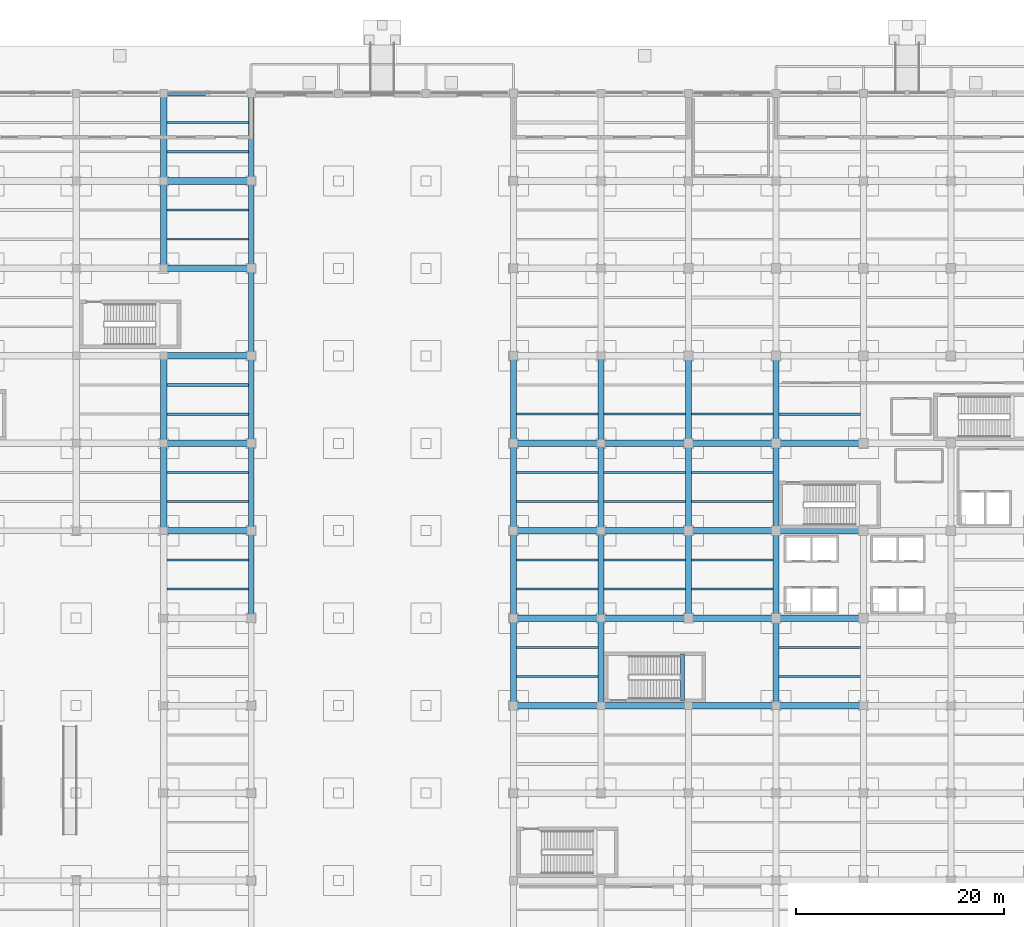
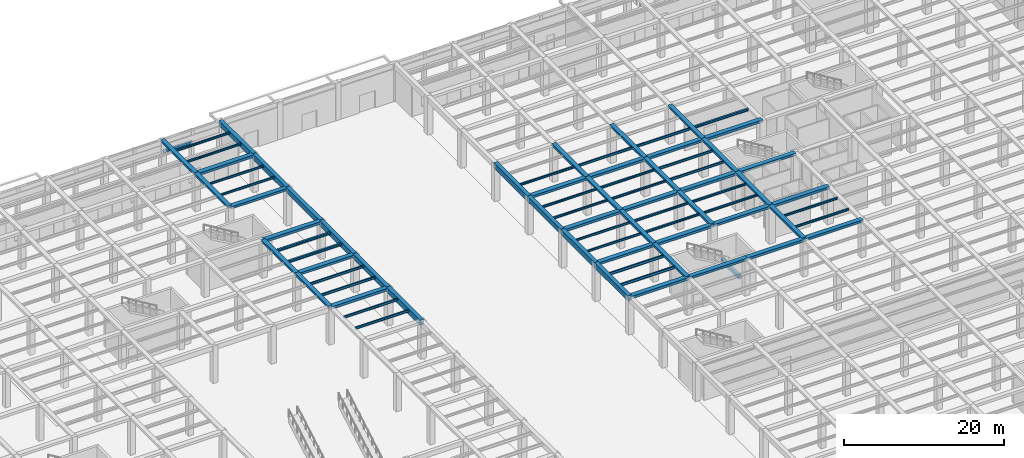
# One storey, part 10 of 43: 78 beams.
"""IFC4 building model written with IfcOpenShell, lengths in metres."""

from ifc_helpers import new_model, si_unit, direction, frame, origin, origin_2d, place, context, subcontext, project, spatial, rectangle, i_section, extrude, material, material_profile, profile_set, type_object, element, save


model = new_model("IFC4")

# Units and contexts
model_context = context("Model", 3, precision=1e-05, world=origin(), true_north=direction((0.0, 1.0)))
body_context = subcontext(model_context, "Body", "Model", "MODEL_VIEW")
ifc_project = project(units=[si_unit("LENGTHUNIT", "METRE"), si_unit("AREAUNIT", "SQUARE_METRE"), si_unit("VOLUMEUNIT", "CUBIC_METRE"), si_unit("PLANEANGLEUNIT", "RADIAN"), si_unit("MASSUNIT", "GRAM", prefix="KILO")], contexts=[model_context])

# Site, building, storey
site_placement = place(None, origin())
site = spatial("IfcSite", under=ifc_project, at=site_placement, CompositionType="ELEMENT")
building_placement = place(site_placement, origin())
building = spatial("IfcBuilding", under=site, at=building_placement, Name="Almacenes y Pasaje Nevantli", CompositionType="ELEMENT")
storey_placement = place(building_placement, origin())
storey = spatial("IfcBuildingStorey", under=building, at=storey_placement, Name="L01", CompositionType="ELEMENT", Elevation=0.0)

# Beams
ifc_material_1 = material(Name="Concrete C35/45", Category="concrete")
ifc_material_profile_1 = material_profile(ifc_material_1, rectangle(XDim=0.39990234375, YDim=0.60009765625, at=origin_2d()), Name="RC-BM-400x600")
ifc_profile_set_1 = profile_set([ifc_material_profile_1], Name="Concrete C35/45")
beam_type_1 = type_object("IfcBeamType", Name="BM-RC-400x600", PredefinedType="SPANDREL", material=ifc_profile_set_1)
beam_1_placement = place(storey_placement, frame((108.6298828125, 59.300048828125, 2.5), z_axis=(0.0, 1.0, 0.0), x_axis=(-1.0, 0.0, 0.0)))
element("IfcBeam", 1, at=beam_1_placement, inside=storey, type_object=beam_type_1, Name="L01 Stair ST-13 Half-Landing Support Beam", PredefinedType="SPANDREL", context=body_context, shape_type="SweptSolid", body=[
    extrude(rectangle(XDim=0.39990234375, YDim=0.60009765625, at=origin_2d()), origin(), (0.0, 0.0, 1.0), 4.449951171875),
])
ifc_material_2 = material(Name="Concrete C35/45", Category="concrete")
ifc_material_profile_2 = material_profile(ifc_material_2, rectangle(XDim=0.550048828125, YDim=0.800048828125, at=origin_2d()), Name="RC-BM-550x800")
ifc_profile_set_2 = profile_set([ifc_material_profile_2], Name="Concrete C35/45")
beam_type_2 = type_object("IfcBeamType", Name="BM-RC-550x800", PredefinedType="BEAM", material=ifc_profile_set_2)
beam_2_placement = place(storey_placement, frame((67.199951171875, 67.199951171875, 5.300048828125), z_axis=(0.0, 1.0, 0.0), x_axis=(-1.0, 0.0, 0.0)))
element("IfcBeam", 2, at=beam_2_placement, inside=storey, type_object=beam_type_2, Name="L01 North-South Reinforced Concrete Beam #1549", PredefinedType="BEAM", context=body_context, shape_type="SweptSolid", body=[
    extrude(rectangle(XDim=0.550048828125, YDim=0.800048828125, at=origin_2d()), origin(), (0.0, 0.0, 1.0), 8.400146484375),
])
for number, where, z_axis, x_axis, name in (
    (3, (67.199951171875, 75.60009765625, 5.300048828125), (0.0, 1.0, 0.0), (-1.0, 0.0, 0.0), "L01 North-South Reinforced Concrete Beam #1550"),
    (4, (67.199951171875, 84.0, 5.300048828125), (0.0, 1.0, 0.0), (-1.0, 0.0, 0.0), "L01 North-South Reinforced Concrete Beam #1551"),
):
    element("IfcBeam", number, at=place(storey_placement, frame(where, z_axis=z_axis, x_axis=x_axis)), inside=storey, type_object=beam_type_2, Name=name, PredefinedType="BEAM", context=body_context, shape_type="SweptSolid", body=[
        extrude(rectangle(XDim=0.550048828125, YDim=0.800048828125, at=origin_2d()), origin(), (0.0, 0.0, 1.0), 8.39990234375),
    ])
beam_3_placement = place(storey_placement, frame((67.199951171875, 92.39990234375, 5.300048828125), z_axis=(0.0, 1.0, 0.0), x_axis=(-1.0, 0.0, 0.0)))
element("IfcBeam", 5, at=beam_3_placement, inside=storey, type_object=beam_type_2, Name="L01 North-South Reinforced Concrete Beam #1552", PredefinedType="BEAM", context=body_context, shape_type="SweptSolid", body=[
    extrude(rectangle(XDim=0.550048828125, YDim=0.800048828125, at=origin_2d()), origin(), (0.0, 0.0, 1.0), 8.400146484375),
])
beam_4_placement = place(storey_placement, frame((67.199951171875, 100.800048828125, 5.300048828125), z_axis=(0.0, 1.0, 0.0), x_axis=(-1.0, 0.0, 0.0)))
element("IfcBeam", 6, at=beam_4_placement, inside=storey, type_object=beam_type_2, Name="L01 North-South Reinforced Concrete Beam #1553", PredefinedType="BEAM", context=body_context, shape_type="SweptSolid", body=[
    extrude(rectangle(XDim=0.550048828125, YDim=0.800048828125, at=origin_2d()), origin(), (0.0, 0.0, 1.0), 8.39990234375),
])
beam_5_placement = place(storey_placement, frame((67.199951171875, 109.199951171875, 5.300048828125), z_axis=(0.0, 1.0, 0.0), x_axis=(-1.0, 0.0, 0.0)))
element("IfcBeam", 7, at=beam_5_placement, inside=storey, type_object=beam_type_2, Name="L01 North-South Reinforced Concrete Beam #1554", PredefinedType="BEAM", context=body_context, shape_type="SweptSolid", body=[
    extrude(rectangle(XDim=0.550048828125, YDim=0.800048828125, at=origin_2d()), origin(), (0.0, 0.0, 1.0), 8.400146484375),
])
beam_6_placement = place(storey_placement, frame((92.39990234375, 58.800048828125, 5.300048828125), z_axis=(0.0, 1.0, 0.0), x_axis=(-1.0, 0.0, 0.0)))
element("IfcBeam", 8, at=beam_6_placement, inside=storey, type_object=beam_type_2, Name="L01 North-South Reinforced Concrete Beam #1562", PredefinedType="BEAM", context=body_context, shape_type="SweptSolid", body=[
    extrude(rectangle(XDim=0.550048828125, YDim=0.800048828125, at=origin_2d()), origin(), (0.0, 0.0, 1.0), 8.39990234375),
])
beam_7_placement = place(storey_placement, frame((92.39990234375, 67.199951171875, 5.300048828125), z_axis=(0.0, 1.0, 0.0), x_axis=(-1.0, 0.0, 0.0)))
element("IfcBeam", 9, at=beam_7_placement, inside=storey, type_object=beam_type_2, Name="L01 North-South Reinforced Concrete Beam #1563", PredefinedType="BEAM", context=body_context, shape_type="SweptSolid", body=[
    extrude(rectangle(XDim=0.550048828125, YDim=0.800048828125, at=origin_2d()), origin(), (0.0, 0.0, 1.0), 8.400146484375),
])
for number, where, z_axis, x_axis, name in (
    (10, (92.39990234375, 75.60009765625, 5.300048828125), (0.0, 1.0, 0.0), (-1.0, 0.0, 0.0), "L01 North-South Reinforced Concrete Beam #1564"),
    (11, (92.39990234375, 84.0, 5.300048828125), (0.0, 1.0, 0.0), (-1.0, 0.0, 0.0), "L01 North-South Reinforced Concrete Beam #1565"),
):
    element("IfcBeam", number, at=place(storey_placement, frame(where, z_axis=z_axis, x_axis=x_axis)), inside=storey, type_object=beam_type_2, Name=name, PredefinedType="BEAM", context=body_context, shape_type="SweptSolid", body=[
        extrude(rectangle(XDim=0.550048828125, YDim=0.800048828125, at=origin_2d()), origin(), (0.0, 0.0, 1.0), 8.39990234375),
    ])
ifc_material_3 = material(Name="Concrete C35/45", Category="concrete")
ifc_material_profile_3 = material_profile(ifc_material_3, rectangle(XDim=0.60009765625, YDim=0.320068359375, at=origin_2d()), Name="RC-BM-600x320")
ifc_profile_set_3 = profile_set([ifc_material_profile_3], Name="Concrete C35/45")
beam_type_3 = type_object("IfcBeamType", Name="BM-RC-600x320", PredefinedType="BEAM", material=ifc_profile_set_3)
for number, where, z_axis, x_axis, name in (
    (12, (58.800048828125, 84.0, 5.5400390625), (0.0, 1.0, 0.0), (-1.0, 0.0, 0.0), "L01 North-South Reinforced Concrete Beam #1538"),
    (13, (58.800048828125, 100.800048828125, 5.5400390625), (0.0, 1.0, 0.0), (-1.0, 0.0, 0.0), "L01 North-South Reinforced Concrete Beam #1539"),
    (14, (100.800048828125, 58.800048828125, 5.5400390625), (0.0, 1.0, 0.0), (-1.0, 0.0, 0.0), "L01 North-South Reinforced Concrete Beam #1575"),
    (15, (100.800048828125, 75.60009765625, 5.5400390625), (0.0, 1.0, 0.0), (-1.0, 0.0, 0.0), "L01 North-South Reinforced Concrete Beam #1577"),
):
    element("IfcBeam", number, at=place(storey_placement, frame(where, z_axis=z_axis, x_axis=x_axis)), inside=storey, type_object=beam_type_3, Name=name, PredefinedType="BEAM", context=body_context, shape_type="SweptSolid", body=[
        extrude(rectangle(XDim=0.60009765625, YDim=0.320068359375, at=origin_2d()), origin(), (0.0, 0.0, 1.0), 8.39990234375),
    ])
beam_8_placement = place(storey_placement, frame((109.199951171875, 67.199951171875, 5.5400390625), z_axis=(0.0, 1.0, 0.0), x_axis=(-1.0, 0.0, 0.0)))
element("IfcBeam", 16, at=beam_8_placement, inside=storey, type_object=beam_type_3, Name="L01 North-South Reinforced Concrete Beam #1589", PredefinedType="BEAM", context=body_context, shape_type="SweptSolid", body=[
    extrude(rectangle(XDim=0.60009765625, YDim=0.320068359375, at=origin_2d()), origin(), (0.0, 0.0, 1.0), 8.400146484375),
])
for number, where, z_axis, x_axis, name in (
    (17, (109.199951171875, 84.0, 5.5400390625), (0.0, 1.0, 0.0), (-1.0, 0.0, 0.0), "L01 North-South Reinforced Concrete Beam #1591"),
    (18, (117.60009765625, 58.800048828125, 5.5400390625), (0.0, 1.0, 0.0), (-1.0, 0.0, 0.0), "L01 North-South Reinforced Concrete Beam #1602"),
    (19, (117.60009765625, 75.60009765625, 5.5400390625), (0.0, 1.0, 0.0), (-1.0, 0.0, 0.0), "L01 North-South Reinforced Concrete Beam #1604"),
):
    element("IfcBeam", number, at=place(storey_placement, frame(where, z_axis=z_axis, x_axis=x_axis)), inside=storey, type_object=beam_type_3, Name=name, PredefinedType="BEAM", context=body_context, shape_type="SweptSolid", body=[
        extrude(rectangle(XDim=0.60009765625, YDim=0.320068359375, at=origin_2d()), origin(), (0.0, 0.0, 1.0), 8.39990234375),
    ])
ifc_material_4 = material(Name="Concrete C35/45", Category="concrete")
ifc_material_profile_4 = material_profile(ifc_material_4, rectangle(XDim=0.60009765625, YDim=0.340087890625, at=origin_2d()), Name="RC-BM-600x340")
ifc_profile_set_4 = profile_set([ifc_material_profile_4], Name="Concrete C35/45")
beam_type_4 = type_object("IfcBeamType", Name="BM-RC-600x340", PredefinedType="BEAM", material=ifc_profile_set_4)
beam_9_placement = place(storey_placement, frame((58.800048828125, 75.60009765625, 5.530029296875), z_axis=(0.0, 1.0, 0.0), x_axis=(-1.0, 0.0, 0.0)))
element("IfcBeam", 20, at=beam_9_placement, inside=storey, type_object=beam_type_4, Name="L01 North-South Reinforced Concrete Beam #1537", PredefinedType="BEAM", context=body_context, shape_type="SweptSolid", body=[
    extrude(rectangle(XDim=0.60009765625, YDim=0.340087890625, at=origin_2d()), origin(), (0.0, 0.0, 1.0), 8.39990234375),
])
for number, where, z_axis, x_axis, name in (
    (21, (58.800048828125, 109.199951171875, 5.530029296875), (0.0, 1.0, 0.0), (-1.0, 0.0, 0.0), "L01 North-South Reinforced Concrete Beam #1540"),
    (22, (100.800048828125, 67.199951171875, 5.530029296875), (0.0, 1.0, 0.0), (-1.0, 0.0, 0.0), "L01 North-South Reinforced Concrete Beam #1576"),
):
    element("IfcBeam", number, at=place(storey_placement, frame(where, z_axis=z_axis, x_axis=x_axis)), inside=storey, type_object=beam_type_4, Name=name, PredefinedType="BEAM", context=body_context, shape_type="SweptSolid", body=[
        extrude(rectangle(XDim=0.60009765625, YDim=0.340087890625, at=origin_2d()), origin(), (0.0, 0.0, 1.0), 8.400146484375),
    ])
for number, where, z_axis, x_axis, name in (
    (23, (100.800048828125, 84.0, 5.530029296875), (0.0, 1.0, 0.0), (-1.0, 0.0, 0.0), "L01 North-South Reinforced Concrete Beam #1578"),
    (24, (109.199951171875, 75.60009765625, 5.530029296875), (0.0, 1.0, 0.0), (-1.0, 0.0, 0.0), "L01 North-South Reinforced Concrete Beam #1590"),
):
    element("IfcBeam", number, at=place(storey_placement, frame(where, z_axis=z_axis, x_axis=x_axis)), inside=storey, type_object=beam_type_4, Name=name, PredefinedType="BEAM", context=body_context, shape_type="SweptSolid", body=[
        extrude(rectangle(XDim=0.60009765625, YDim=0.340087890625, at=origin_2d()), origin(), (0.0, 0.0, 1.0), 8.39990234375),
    ])
beam_10_placement = place(storey_placement, frame((117.60009765625, 67.199951171875, 5.530029296875), z_axis=(0.0, 1.0, 0.0), x_axis=(-1.0, 0.0, 0.0)))
element("IfcBeam", 25, at=beam_10_placement, inside=storey, type_object=beam_type_4, Name="L01 North-South Reinforced Concrete Beam #1603", PredefinedType="BEAM", context=body_context, shape_type="SweptSolid", body=[
    extrude(rectangle(XDim=0.60009765625, YDim=0.340087890625, at=origin_2d()), origin(), (0.0, 0.0, 1.0), 8.400146484375),
])
beam_11_placement = place(storey_placement, frame((117.60009765625, 84.0, 5.530029296875), z_axis=(0.0, 1.0, 0.0), x_axis=(-1.0, 0.0, 0.0)))
element("IfcBeam", 26, at=beam_11_placement, inside=storey, type_object=beam_type_4, Name="L01 North-South Reinforced Concrete Beam #1605", PredefinedType="BEAM", context=body_context, shape_type="SweptSolid", body=[
    extrude(rectangle(XDim=0.60009765625, YDim=0.340087890625, at=origin_2d()), origin(), (0.0, 0.0, 1.0), 8.39990234375),
])
ifc_material_5 = material(Name="Concrete C35/45", Category="concrete")
ifc_material_profile_5 = material_profile(ifc_material_5, rectangle(XDim=0.64990234375, YDim=0.35009765625, at=origin_2d()), Name="RC-BM-650x350")
ifc_profile_set_5 = profile_set([ifc_material_profile_5], Name="Concrete C35/45")
beam_type_5 = type_object("IfcBeamType", Name="BM-RC-650x350", PredefinedType="BEAM", material=ifc_profile_set_5)
for number, where, z_axis, x_axis, name in (
    (27, (100.800048828125, 58.800048828125, 5.52490234375), (1.0, 0.0, 0.0), (0.0, 1.0, 0.0), "L01 East-West Reinforced Concrete Beam #1325"),
    (28, (117.60009765625, 58.800048828125, 5.52490234375), (1.0, 0.0, 0.0), (0.0, 1.0, 0.0), "L01 East-West Reinforced Concrete Beam #1327"),
):
    element("IfcBeam", number, at=place(storey_placement, frame(where, z_axis=z_axis, x_axis=x_axis)), inside=storey, type_object=beam_type_5, Name=name, PredefinedType="BEAM", context=body_context, shape_type="SweptSolid", body=[
        extrude(rectangle(XDim=0.64990234375, YDim=0.35009765625, at=origin_2d()), origin(), (0.0, 0.0, 1.0), 8.39990234375),
    ])
for number, where, z_axis, x_axis, name in (
    (29, (92.39990234375, 67.199951171875, 5.52490234375), (1.0, 0.0, 0.0), (0.0, 1.0, 0.0), "L01 East-West Reinforced Concrete Beam #1338"),
    (30, (109.199951171875, 67.199951171875, 5.52490234375), (1.0, 0.0, 0.0), (0.0, 1.0, 0.0), "L01 East-West Reinforced Concrete Beam #1340"),
):
    element("IfcBeam", number, at=place(storey_placement, frame(where, z_axis=z_axis, x_axis=x_axis)), inside=storey, type_object=beam_type_5, Name=name, PredefinedType="BEAM", context=body_context, shape_type="SweptSolid", body=[
        extrude(rectangle(XDim=0.64990234375, YDim=0.35009765625, at=origin_2d()), origin(), (0.0, 0.0, 1.0), 8.400146484375),
    ])
for number, where, z_axis, x_axis, name in (
    (31, (100.800048828125, 75.60009765625, 5.52490234375), (1.0, 0.0, 0.0), (0.0, 1.0, 0.0), "L01 East-West Reinforced Concrete Beam #1356"),
    (32, (117.60009765625, 75.60009765625, 5.52490234375), (1.0, 0.0, 0.0), (0.0, 1.0, 0.0), "L01 East-West Reinforced Concrete Beam #1358"),
    (33, (58.800048828125, 84.0, 5.52490234375), (1.0, 0.0, 0.0), (0.0, 1.0, 0.0), "L01 East-West Reinforced Concrete Beam #1371"),
):
    element("IfcBeam", number, at=place(storey_placement, frame(where, z_axis=z_axis, x_axis=x_axis)), inside=storey, type_object=beam_type_5, Name=name, PredefinedType="BEAM", context=body_context, shape_type="SweptSolid", body=[
        extrude(rectangle(XDim=0.64990234375, YDim=0.35009765625, at=origin_2d()), origin(), (0.0, 0.0, 1.0), 8.39990234375),
    ])
for number, where, z_axis, x_axis, name in (
    (34, (92.39990234375, 84.0, 5.52490234375), (1.0, 0.0, 0.0), (0.0, 1.0, 0.0), "L01 East-West Reinforced Concrete Beam #1372"),
    (35, (109.199951171875, 84.0, 5.52490234375), (1.0, 0.0, 0.0), (0.0, 1.0, 0.0), "L01 East-West Reinforced Concrete Beam #1374"),
):
    element("IfcBeam", number, at=place(storey_placement, frame(where, z_axis=z_axis, x_axis=x_axis)), inside=storey, type_object=beam_type_5, Name=name, PredefinedType="BEAM", context=body_context, shape_type="SweptSolid", body=[
        extrude(rectangle(XDim=0.64990234375, YDim=0.35009765625, at=origin_2d()), origin(), (0.0, 0.0, 1.0), 8.400146484375),
    ])
beam_12_placement = place(storey_placement, frame((58.800048828125, 100.800048828125, 5.52490234375), z_axis=(1.0, 0.0, 0.0), x_axis=(0.0, 1.0, 0.0)))
element("IfcBeam", 36, at=beam_12_placement, inside=storey, type_object=beam_type_5, Name="L01 East-West Reinforced Concrete Beam #1405", PredefinedType="BEAM", context=body_context, shape_type="SweptSolid", body=[
    extrude(rectangle(XDim=0.64990234375, YDim=0.35009765625, at=origin_2d()), origin(), (0.0, 0.0, 1.0), 8.39990234375),
])
ifc_material_6 = material(Name="Concrete C35/45", Category="concrete")
ifc_material_profile_6 = material_profile(ifc_material_6, rectangle(XDim=0.64990234375, YDim=0.3798828125, at=origin_2d()), Name="RC-BM-650x380")
ifc_profile_set_6 = profile_set([ifc_material_profile_6], Name="Concrete C35/45")
beam_type_6 = type_object("IfcBeamType", Name="BM-RC-650x380", PredefinedType="BEAM", material=ifc_profile_set_6)
for number, where, z_axis, x_axis, name in (
    (37, (92.39990234375, 58.800048828125, 5.510009765625), (1.0, 0.0, 0.0), (0.0, 1.0, 0.0), "L01 East-West Reinforced Concrete Beam #1324"),
    (38, (109.199951171875, 58.800048828125, 5.510009765625), (1.0, 0.0, 0.0), (0.0, 1.0, 0.0), "L01 East-West Reinforced Concrete Beam #1326"),
):
    element("IfcBeam", number, at=place(storey_placement, frame(where, z_axis=z_axis, x_axis=x_axis)), inside=storey, type_object=beam_type_6, Name=name, PredefinedType="BEAM", context=body_context, shape_type="SweptSolid", body=[
        extrude(rectangle(XDim=0.64990234375, YDim=0.3798828125, at=origin_2d()), origin(), (0.0, 0.0, 1.0), 8.400146484375),
    ])
for number, where, z_axis, x_axis, name in (
    (39, (100.800048828125, 67.199951171875, 5.510009765625), (1.0, 0.0, 0.0), (0.0, 1.0, 0.0), "L01 East-West Reinforced Concrete Beam #1339"),
    (40, (117.60009765625, 67.199951171875, 5.510009765625), (1.0, 0.0, 0.0), (0.0, 1.0, 0.0), "L01 East-West Reinforced Concrete Beam #1341"),
    (41, (58.800048828125, 75.60009765625, 5.510009765625), (1.0, 0.0, 0.0), (0.0, 1.0, 0.0), "L01 East-West Reinforced Concrete Beam #1354"),
):
    element("IfcBeam", number, at=place(storey_placement, frame(where, z_axis=z_axis, x_axis=x_axis)), inside=storey, type_object=beam_type_6, Name=name, PredefinedType="BEAM", context=body_context, shape_type="SweptSolid", body=[
        extrude(rectangle(XDim=0.64990234375, YDim=0.3798828125, at=origin_2d()), origin(), (0.0, 0.0, 1.0), 8.39990234375),
    ])
for number, where, z_axis, x_axis, name in (
    (42, (92.39990234375, 75.60009765625, 5.510009765625), (1.0, 0.0, 0.0), (0.0, 1.0, 0.0), "L01 East-West Reinforced Concrete Beam #1355"),
    (43, (109.199951171875, 75.60009765625, 5.510009765625), (1.0, 0.0, 0.0), (0.0, 1.0, 0.0), "L01 East-West Reinforced Concrete Beam #1357"),
):
    element("IfcBeam", number, at=place(storey_placement, frame(where, z_axis=z_axis, x_axis=x_axis)), inside=storey, type_object=beam_type_6, Name=name, PredefinedType="BEAM", context=body_context, shape_type="SweptSolid", body=[
        extrude(rectangle(XDim=0.64990234375, YDim=0.3798828125, at=origin_2d()), origin(), (0.0, 0.0, 1.0), 8.400146484375),
    ])
for number, where, z_axis, x_axis, name in (
    (44, (100.800048828125, 84.0, 5.510009765625), (1.0, 0.0, 0.0), (0.0, 1.0, 0.0), "L01 East-West Reinforced Concrete Beam #1373"),
    (45, (117.60009765625, 84.0, 5.510009765625), (1.0, 0.0, 0.0), (0.0, 1.0, 0.0), "L01 East-West Reinforced Concrete Beam #1375"),
    (46, (58.800048828125, 92.39990234375, 5.510009765625), (1.0, 0.0, 0.0), (0.0, 1.0, 0.0), "L01 East-West Reinforced Concrete Beam #1388"),
    (47, (58.800048828125, 109.199951171875, 5.510009765625), (1.0, 0.0, 0.0), (0.0, 1.0, 0.0), "L01 East-West Reinforced Concrete Beam #1422"),
):
    element("IfcBeam", number, at=place(storey_placement, frame(where, z_axis=z_axis, x_axis=x_axis)), inside=storey, type_object=beam_type_6, Name=name, PredefinedType="BEAM", context=body_context, shape_type="SweptSolid", body=[
        extrude(rectangle(XDim=0.64990234375, YDim=0.3798828125, at=origin_2d()), origin(), (0.0, 0.0, 1.0), 8.39990234375),
    ])
ifc_material_7 = material(Name="Concrete C35/45", Category="concrete")
ifc_material_profile_7 = material_profile(ifc_material_7, rectangle(XDim=0.25, YDim=0.39990234375, at=origin_2d()), Name="RC-LIN-250x400")
ifc_profile_set_7 = profile_set([ifc_material_profile_7], Name="Concrete C35/45")
beam_type_7 = type_object("IfcBeamType", Name="BM-RC-LIN250", PredefinedType="LINTEL", material=ifc_profile_set_7)
beam_13_placement = place(storey_placement, frame((58.800048828125, 117.5, 3.89990234375), z_axis=(1.0, 0.0, 0.0), x_axis=(0.0, 1.0, 0.0)))
element("IfcBeam", 48, at=beam_13_placement, inside=storey, type_object=beam_type_7, Name="L01 Boulevard Portales Architrave Beam 8A", PredefinedType="LINTEL", context=body_context, shape_type="SweptSolid", body=[
    extrude(rectangle(XDim=0.25, YDim=0.39990234375, at=origin_2d()), origin(), (0.0, 0.0, 1.0), 4.199951171875),
])
ifc_material_8 = material(Name="Steel ASTM A992", Category="steel")
ifc_material_profile_8 = material_profile(ifc_material_8, i_section(OverallWidth=0.1650390625, OverallDepth=0.306884765625, WebThickness=0.006591796875, FlangeThickness=0.01025390625, at=origin_2d()), Name="IR 305x44.6")
ifc_profile_set_8 = profile_set([ifc_material_profile_8], Name="Steel ASTM A992")
beam_type_8 = type_object("IfcBeamType", Name="BM-STL-IR-305x44p6", PredefinedType="JOIST", material=ifc_profile_set_8)
for number, where, z_axis, x_axis, name in (
    (49, (59.10009765625, 103.60009765625, 5.53857421875), (1.0, 0.0, 0.0), (0.0, 1.0, 0.0), "L01 Secondary Steel Floor Joist #115"),
    (50, (59.10009765625, 106.39990234375, 5.53857421875), (1.0, 0.0, 0.0), (0.0, 1.0, 0.0), "L01 Secondary Steel Floor Joist #116"),
    (51, (92.675048828125, 70.0, 5.53857421875), (1.0, 0.0, 0.0), (0.0, 1.0, 0.0), "L01 Secondary Steel Floor Joist #133"),
    (52, (92.675048828125, 72.800048828125, 5.53857421875), (1.0, 0.0, 0.0), (0.0, 1.0, 0.0), "L01 Secondary Steel Floor Joist #134"),
):
    element("IfcBeam", number, at=place(storey_placement, frame(where, z_axis=z_axis, x_axis=x_axis)), inside=storey, type_object=beam_type_8, Name=name, PredefinedType="JOIST", context=body_context, shape_type="SweptSolid", body=[
        extrude(i_section(OverallWidth=0.1650390625, OverallDepth=0.306884765625, WebThickness=0.006591796875, FlangeThickness=0.01025390625, at=origin_2d()), origin(), (0.0, 0.0, 1.0), 7.824951171875),
    ])
ifc_material_9 = material(Name="Steel ASTM A992", Category="steel")
ifc_material_profile_9 = material_profile(ifc_material_9, i_section(OverallWidth=0.202880859375, OverallDepth=0.304931640625, WebThickness=0.007568359375, FlangeThickness=0.01318359375, at=origin_2d()), Name="IR 305x59.5")
ifc_profile_set_9 = profile_set([ifc_material_profile_9], Name="Steel ASTM A992")
beam_type_9 = type_object("IfcBeamType", Name="BM-STL-IR-305x59p5", PredefinedType="JOIST", material=ifc_profile_set_9)
for number, where, z_axis, x_axis, name in (
    (53, (59.10009765625, 112.0, 5.53955078125), (1.0, 0.0, 0.0), (0.0, 1.0, 0.0), "L01 Secondary Steel Floor Joist #117"),
    (54, (59.10009765625, 114.800048828125, 5.53955078125), (1.0, 0.0, 0.0), (0.0, 1.0, 0.0), "L01 Secondary Steel Floor Joist #118"),
    (55, (92.675048828125, 78.39990234375, 5.53955078125), (1.0, 0.0, 0.0), (0.0, 1.0, 0.0), "L01 Secondary Steel Floor Joist #135"),
    (56, (92.675048828125, 81.199951171875, 5.53955078125), (1.0, 0.0, 0.0), (0.0, 1.0, 0.0), "L01 Secondary Steel Floor Joist #136"),
):
    element("IfcBeam", number, at=place(storey_placement, frame(where, z_axis=z_axis, x_axis=x_axis)), inside=storey, type_object=beam_type_9, Name=name, PredefinedType="JOIST", context=body_context, shape_type="SweptSolid", body=[
        extrude(i_section(OverallWidth=0.202880859375, OverallDepth=0.304931640625, WebThickness=0.007568359375, FlangeThickness=0.01318359375, at=origin_2d()), origin(), (0.0, 0.0, 1.0), 7.824951171875),
    ])
for number, where, z_axis, x_axis, name in (
    (57, (101.10009765625, 70.0, 5.53955078125), (1.0, 0.0, 0.0), (0.0, 1.0, 0.0), "L01 Secondary Steel Floor Joist #157"),
    (58, (101.10009765625, 72.800048828125, 5.53955078125), (1.0, 0.0, 0.0), (0.0, 1.0, 0.0), "L01 Secondary Steel Floor Joist #158"),
):
    element("IfcBeam", number, at=place(storey_placement, frame(where, z_axis=z_axis, x_axis=x_axis)), inside=storey, type_object=beam_type_9, Name=name, PredefinedType="JOIST", context=body_context, shape_type="SweptSolid", body=[
        extrude(i_section(OverallWidth=0.202880859375, OverallDepth=0.304931640625, WebThickness=0.007568359375, FlangeThickness=0.01318359375, at=origin_2d()), origin(), (0.0, 0.0, 1.0), 7.7998046875),
    ])
ifc_material_10 = material(Name="Steel ASTM A992", Category="steel")
ifc_material_profile_10 = material_profile(ifc_material_10, i_section(OverallWidth=0.205078125, OverallDepth=0.31005859375, WebThickness=0.009521484375, FlangeThickness=0.016357421875, at=origin_2d()), Name="IR 305x74.4")
ifc_profile_set_10 = profile_set([ifc_material_profile_10], Name="Steel ASTM A992")
beam_type_10 = type_object("IfcBeamType", Name="BM-STL-IR-305x74p4", PredefinedType="JOIST", material=ifc_profile_set_10)
beam_14_placement = place(storey_placement, frame((92.675048828125, 86.800048828125, 5.537109375), z_axis=(1.0, 0.0, 0.0), x_axis=(0.0, 1.0, 0.0)))
element("IfcBeam", 59, at=beam_14_placement, inside=storey, type_object=beam_type_10, Name="L01 Secondary Steel Floor Joist #137", PredefinedType="JOIST", context=body_context, shape_type="SweptSolid", body=[
    extrude(i_section(OverallWidth=0.205078125, OverallDepth=0.31005859375, WebThickness=0.009521484375, FlangeThickness=0.016357421875, at=origin_2d()), origin(), (0.0, 0.0, 1.0), 7.824951171875),
])
for number, where, z_axis, x_axis, name in (
    (60, (101.10009765625, 78.39990234375, 5.537109375), (1.0, 0.0, 0.0), (0.0, 1.0, 0.0), "L01 Secondary Steel Floor Joist #159"),
    (61, (101.10009765625, 81.199951171875, 5.537109375), (1.0, 0.0, 0.0), (0.0, 1.0, 0.0), "L01 Secondary Steel Floor Joist #160"),
):
    element("IfcBeam", number, at=place(storey_placement, frame(where, z_axis=z_axis, x_axis=x_axis)), inside=storey, type_object=beam_type_10, Name=name, PredefinedType="JOIST", context=body_context, shape_type="SweptSolid", body=[
        extrude(i_section(OverallWidth=0.205078125, OverallDepth=0.31005859375, WebThickness=0.009521484375, FlangeThickness=0.016357421875, at=origin_2d()), origin(), (0.0, 0.0, 1.0), 7.7998046875),
    ])
for number, where, z_axis, x_axis, name in (
    (62, (109.5, 70.0, 5.537109375), (1.0, 0.0, 0.0), (0.0, 1.0, 0.0), "L01 Secondary Steel Floor Joist #183"),
    (63, (109.5, 72.800048828125, 5.537109375), (1.0, 0.0, 0.0), (0.0, 1.0, 0.0), "L01 Secondary Steel Floor Joist #184"),
    (64, (117.89990234375, 61.60009765625, 5.537109375), (1.0, 0.0, 0.0), (0.0, 1.0, 0.0), "L01 Secondary Steel Floor Joist #209"),
    (65, (117.89990234375, 64.39990234375, 5.537109375), (1.0, 0.0, 0.0), (0.0, 1.0, 0.0), "L01 Secondary Steel Floor Joist #210"),
):
    element("IfcBeam", number, at=place(storey_placement, frame(where, z_axis=z_axis, x_axis=x_axis)), inside=storey, type_object=beam_type_10, Name=name, PredefinedType="JOIST", context=body_context, shape_type="SweptSolid", body=[
        extrude(i_section(OverallWidth=0.205078125, OverallDepth=0.31005859375, WebThickness=0.009521484375, FlangeThickness=0.016357421875, at=origin_2d()), origin(), (0.0, 0.0, 1.0), 7.800048828125),
    ])
ifc_material_11 = material(Name="Steel ASTM A992", Category="steel")
ifc_material_profile_11 = material_profile(ifc_material_11, i_section(OverallWidth=0.173095703125, OverallDepth=0.35302734375, WebThickness=0.0078125, FlangeThickness=0.01318359375, at=origin_2d()), Name="IR 356x56.6")
ifc_profile_set_11 = profile_set([ifc_material_profile_11], Name="Steel ASTM A992")
beam_type_11 = type_object("IfcBeamType", Name="BM-STL-IR-356x56p6", PredefinedType="JOIST", material=ifc_profile_set_11)
for number, where, z_axis, x_axis, name in (
    (66, (59.10009765625, 70.0, 5.515380859375), (1.0, 0.0, 0.0), (0.0, 1.0, 0.0), "L01 Secondary Steel Floor Joist #109"),
    (67, (59.10009765625, 72.800048828125, 5.515380859375), (1.0, 0.0, 0.0), (0.0, 1.0, 0.0), "L01 Secondary Steel Floor Joist #110"),
):
    element("IfcBeam", number, at=place(storey_placement, frame(where, z_axis=z_axis, x_axis=x_axis)), inside=storey, type_object=beam_type_11, Name=name, PredefinedType="JOIST", context=body_context, shape_type="SweptSolid", body=[
        extrude(i_section(OverallWidth=0.173095703125, OverallDepth=0.35302734375, WebThickness=0.0078125, FlangeThickness=0.01318359375, at=origin_2d()), origin(), (0.0, 0.0, 1.0), 7.824951171875),
    ])
beam_15_placement = place(storey_placement, frame((101.10009765625, 86.800048828125, 5.515380859375), z_axis=(1.0, 0.0, 0.0), x_axis=(0.0, 1.0, 0.0)))
element("IfcBeam", 68, at=beam_15_placement, inside=storey, type_object=beam_type_11, Name="L01 Secondary Steel Floor Joist #161", PredefinedType="JOIST", context=body_context, shape_type="SweptSolid", body=[
    extrude(i_section(OverallWidth=0.173095703125, OverallDepth=0.35302734375, WebThickness=0.0078125, FlangeThickness=0.01318359375, at=origin_2d()), origin(), (0.0, 0.0, 1.0), 7.7998046875),
])
for number, where, z_axis, x_axis, name in (
    (69, (109.5, 78.39990234375, 5.515380859375), (1.0, 0.0, 0.0), (0.0, 1.0, 0.0), "L01 Secondary Steel Floor Joist #185"),
    (70, (109.5, 81.199951171875, 5.515380859375), (1.0, 0.0, 0.0), (0.0, 1.0, 0.0), "L01 Secondary Steel Floor Joist #186"),
):
    element("IfcBeam", number, at=place(storey_placement, frame(where, z_axis=z_axis, x_axis=x_axis)), inside=storey, type_object=beam_type_11, Name=name, PredefinedType="JOIST", context=body_context, shape_type="SweptSolid", body=[
        extrude(i_section(OverallWidth=0.173095703125, OverallDepth=0.35302734375, WebThickness=0.0078125, FlangeThickness=0.01318359375, at=origin_2d()), origin(), (0.0, 0.0, 1.0), 7.800048828125),
    ])
ifc_material_12 = material(Name="Steel ASTM A992", Category="steel")
ifc_material_profile_12 = material_profile(ifc_material_12, i_section(OverallWidth=0.173095703125, OverallDepth=0.364013671875, WebThickness=0.009033203125, FlangeThickness=0.015625, at=origin_2d()), Name="IR 356x67.0")
ifc_profile_set_12 = profile_set([ifc_material_profile_12], Name="Steel ASTM A992")
beam_type_12 = type_object("IfcBeamType", Name="BM-STL-IR-356x67p0", PredefinedType="JOIST", material=ifc_profile_set_12)
for number, where, z_axis, x_axis, name in (
    (71, (59.10009765625, 78.39990234375, 5.510009765625), (1.0, 0.0, 0.0), (0.0, 1.0, 0.0), "L01 Secondary Steel Floor Joist #111"),
    (72, (59.10009765625, 81.199951171875, 5.510009765625), (1.0, 0.0, 0.0), (0.0, 1.0, 0.0), "L01 Secondary Steel Floor Joist #112"),
):
    element("IfcBeam", number, at=place(storey_placement, frame(where, z_axis=z_axis, x_axis=x_axis)), inside=storey, type_object=beam_type_12, Name=name, PredefinedType="JOIST", context=body_context, shape_type="SweptSolid", body=[
        extrude(i_section(OverallWidth=0.173095703125, OverallDepth=0.364013671875, WebThickness=0.009033203125, FlangeThickness=0.015625, at=origin_2d()), origin(), (0.0, 0.0, 1.0), 7.824951171875),
    ])
beam_16_placement = place(storey_placement, frame((109.5, 86.800048828125, 5.510009765625), z_axis=(1.0, 0.0, 0.0), x_axis=(0.0, 1.0, 0.0)))
element("IfcBeam", 73, at=beam_16_placement, inside=storey, type_object=beam_type_12, Name="L01 Secondary Steel Floor Joist #187", PredefinedType="JOIST", context=body_context, shape_type="SweptSolid", body=[
    extrude(i_section(OverallWidth=0.173095703125, OverallDepth=0.364013671875, WebThickness=0.009033203125, FlangeThickness=0.015625, at=origin_2d()), origin(), (0.0, 0.0, 1.0), 7.800048828125),
])
ifc_material_13 = material(Name="Steel ASTM A992", Category="steel")
ifc_material_profile_13 = material_profile(ifc_material_13, i_section(OverallWidth=0.25390625, OverallDepth=0.35595703125, WebThickness=0.009521484375, FlangeThickness=0.016357421875, at=origin_2d()), Name="IR 356x79.0")
ifc_profile_set_13 = profile_set([ifc_material_profile_13], Name="Steel ASTM A992")
beam_type_13 = type_object("IfcBeamType", Name="BM-STL-IR-356x79p0", PredefinedType="JOIST", material=ifc_profile_set_13)
for number, where, z_axis, x_axis, name in (
    (74, (59.10009765625, 86.800048828125, 5.513916015625), (1.0, 0.0, 0.0), (0.0, 1.0, 0.0), "L01 Secondary Steel Floor Joist #113"),
    (75, (59.10009765625, 89.60009765625, 5.513916015625), (1.0, 0.0, 0.0), (0.0, 1.0, 0.0), "L01 Secondary Steel Floor Joist #114"),
):
    element("IfcBeam", number, at=place(storey_placement, frame(where, z_axis=z_axis, x_axis=x_axis)), inside=storey, type_object=beam_type_13, Name=name, PredefinedType="JOIST", context=body_context, shape_type="SweptSolid", body=[
        extrude(i_section(OverallWidth=0.25390625, OverallDepth=0.35595703125, WebThickness=0.009521484375, FlangeThickness=0.016357421875, at=origin_2d()), origin(), (0.0, 0.0, 1.0), 7.824951171875),
    ])
beam_17_placement = place(storey_placement, frame((117.89990234375, 86.800048828125, 5.513916015625), z_axis=(1.0, 0.0, 0.0), x_axis=(0.0, 1.0, 0.0)))
element("IfcBeam", 76, at=beam_17_placement, inside=storey, type_object=beam_type_13, Name="L01 Secondary Steel Floor Joist #211", PredefinedType="JOIST", context=body_context, shape_type="SweptSolid", body=[
    extrude(i_section(OverallWidth=0.25390625, OverallDepth=0.35595703125, WebThickness=0.009521484375, FlangeThickness=0.016357421875, at=origin_2d()), origin(), (0.0, 0.0, 1.0), 7.800048828125),
])
ifc_material_14 = material(Name="Steel ASTM A992", Category="steel")
ifc_material_profile_14 = material_profile(ifc_material_14, i_section(OverallWidth=0.178955078125, OverallDepth=0.406005859375, WebThickness=0.0087890625, FlangeThickness=0.014404296875, at=origin_2d()), Name="IR 406x67.0")
ifc_profile_set_14 = profile_set([ifc_material_profile_14], Name="Steel ASTM A992")
beam_type_14 = type_object("IfcBeamType", Name="BM-STL-IR-406x67p0", PredefinedType="JOIST", material=ifc_profile_set_14)
for number, where, z_axis, x_axis, name in (
    (77, (92.675048828125, 61.60009765625, 5.489013671875), (1.0, 0.0, 0.0), (0.0, 1.0, 0.0), "L01 Secondary Steel Floor Joist #131"),
    (78, (92.675048828125, 64.39990234375, 5.489013671875), (1.0, 0.0, 0.0), (0.0, 1.0, 0.0), "L01 Secondary Steel Floor Joist #132"),
):
    element("IfcBeam", number, at=place(storey_placement, frame(where, z_axis=z_axis, x_axis=x_axis)), inside=storey, type_object=beam_type_14, Name=name, PredefinedType="JOIST", context=body_context, shape_type="SweptSolid", body=[
        extrude(i_section(OverallWidth=0.178955078125, OverallDepth=0.406005859375, WebThickness=0.0087890625, FlangeThickness=0.014404296875, at=origin_2d()), origin(), (0.0, 0.0, 1.0), 7.824951171875),
    ])

save(model, "model.ifc")
